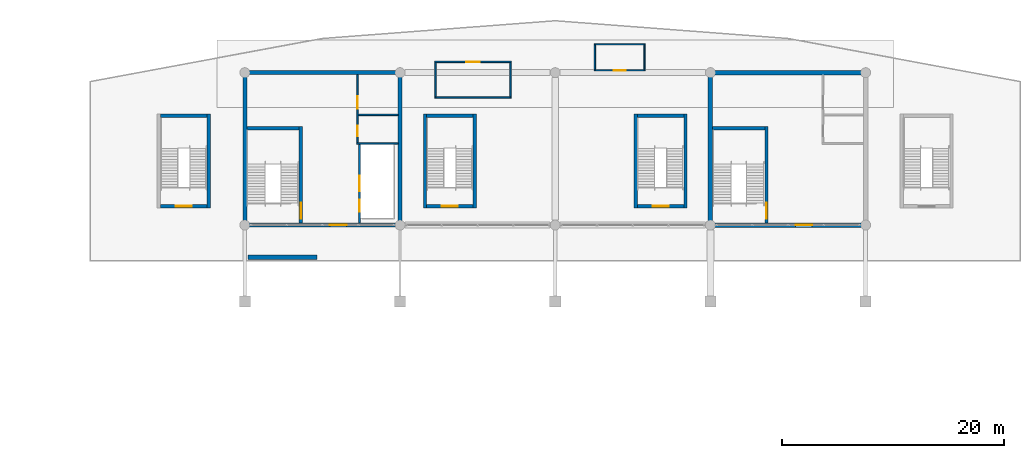
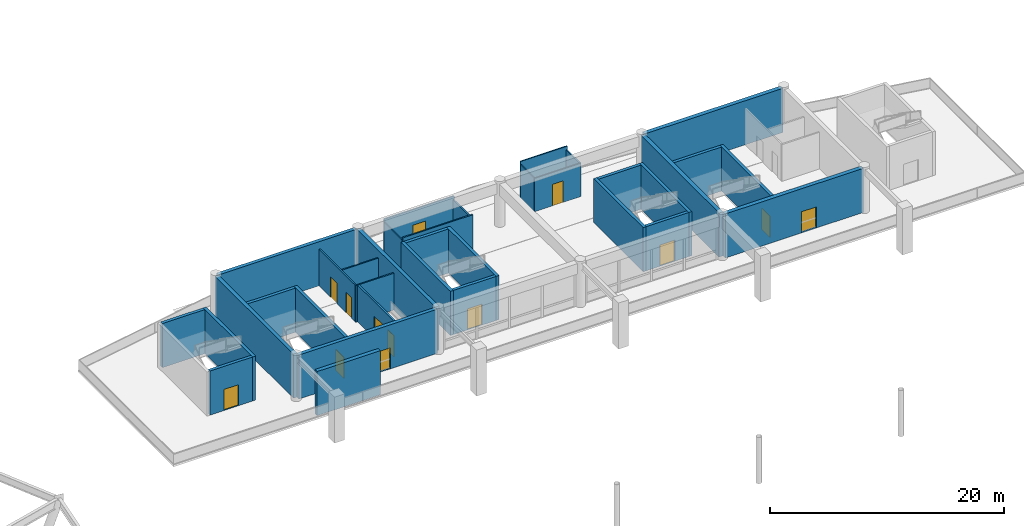
# One storey, part 72 of 91: 35 walls, 13 doors, 13 openings.
"""IFC4 building model written with IfcOpenShell, lengths in metres."""

from ifc_helpers import new_model, si_unit, direction, frame, frame_2d, origin, place, context, subcontext, project, spatial, rectangle, extrude, material, layer, layer_set, type_object, element, fill, save


model = new_model("IFC4")

# Units and contexts
model_context = context("Model", 3, precision=1e-05, world=origin(), true_north=direction((0.0, 1.0)))
body_context = subcontext(model_context, "Body", "Model", "MODEL_VIEW")
ifc_project = project(units=[si_unit("LENGTHUNIT", "METRE"), si_unit("AREAUNIT", "SQUARE_METRE"), si_unit("VOLUMEUNIT", "CUBIC_METRE"), si_unit("PLANEANGLEUNIT", "RADIAN"), si_unit("MASSUNIT", "GRAM", prefix="KILO")], contexts=[model_context])

# Site, building, storey
site_placement = place(None, origin())
site = spatial("IfcSite", under=ifc_project, at=site_placement, CompositionType="ELEMENT")
building_placement = place(site_placement, origin())
building = spatial("IfcBuilding", under=site, at=building_placement, Name="Linyun Crest Stadium", CompositionType="ELEMENT")
storey_placement = place(building_placement, frame((0.0, 0.0, 11.39990234375)))
storey = spatial("IfcBuildingStorey", under=building, at=storey_placement, Name="L03", CompositionType="ELEMENT", Elevation=11.39990234375)

# Walls
ifc_material_1 = material(Name="Concrete C50", Category="concrete")
ifc_layer_1 = layer(ifc_material_1, 0.35009765625)
ifc_layer_set_1 = layer_set([ifc_layer_1], Name="Concrete C50")
wall_type_1 = type_object("IfcWallType", Name="CW01", PredefinedType="SHEAR", material=ifc_layer_set_1)
for number, where, z_axis, x_axis, name in (
    (1, (-28.0, 91.675048828125, 0.0), (0.0, 0.0, 1.0), (0.0, 1.0, 0.0), "Core shear wall CW01 CORE-N1 L03.1"),
    (2, (-14.0, 91.675048828125, 0.0), (0.0, 0.0, 1.0), (0.0, 1.0, 0.0), "Core shear wall CW01 CORE-N1 L03.2"),
):
    element("IfcWall", number, at=place(storey_placement, frame(where, z_axis=z_axis, x_axis=x_axis)), inside=storey, type_object=wall_type_1, Name=name, PredefinedType="SHEAR", context=body_context, shape_type="SweptSolid", body=[
        extrude(rectangle(XDim=13.39990234375, YDim=0.35009765625, at=frame_2d((6.699951171875, 0.0))), origin(), (0.0, 0.0, 1.0), 4.60009765625),
    ])

# Wall, opening, door
wall_1_placement = place(storey_placement, frame((-27.824951171875, 91.5, 0.0), z_axis=(0.0, 0.0, 1.0), x_axis=(1.0, 0.0, 0.0)))
wall_1 = element("IfcWall", 3, at=wall_1_placement, inside=storey, type_object=wall_type_1, Name="Core shear wall CW01 CORE-N1 L03.3", PredefinedType="SHEAR", context=body_context, shape_type="SweptSolid", body=[
    extrude(rectangle(XDim=13.64990234375, YDim=0.35009765625, at=frame_2d((6.824951171875, 0.0))), origin(), (0.0, 0.0, 1.0), 4.60009765625),
])
opening_1_placement = place(wall_1_placement, frame((7.507080078125, 0.0, 0.0)))
opening_1 = element("IfcOpeningElement", 4, at=opening_1_placement, cuts=wall_1, Name="Opening D-L03-274", PredefinedType="OPENING", context=body_context, shape_type="SweptSolid", body=[
    extrude(rectangle(XDim=1.5, YDim=2.199951171875, at=frame_2d((0.75, 1.10009765625))), frame((0.0, 0.18505859375, 0.0), z_axis=(0.0, -1.0, 0.0), x_axis=(1.0, 0.0, 0.0)), (0.0, 0.0, 1.0), 0.3701171875),
])
ifc_material_2 = material(Name="Galvanized steel Class A fire door", Category="steel")
ifc_layer_2 = layer(ifc_material_2, 0.054931640625)
ifc_layer_set_2 = layer_set([ifc_layer_2], Name="Galvanized steel Class A fire door")
door_type_1 = type_object("IfcDoorType", Name="FD01", OperationType="NOTDEFINED", PredefinedType="DOOR", material=ifc_layer_set_2)
door_1_placement = place(opening_1_placement, origin())
door_1 = element("IfcDoor", 5, at=door_1_placement, inside=storey, type_object=door_type_1, Name="Door D-L03-274", OperationType="SINGLE_SWING_RIGHT", OverallHeight=2.199951171875, OverallWidth=1.5, PredefinedType="DOOR", context=body_context, shape_type="SweptSolid", body=[
    extrude(rectangle(XDim=1.5, YDim=2.199951171875, at=frame_2d((0.75, 1.10009765625))), frame((0.0, 0.02490234375, 0.0), z_axis=(0.0, -1.0, 0.0), x_axis=(1.0, 0.0, 0.0)), (0.0, 0.0, 1.0), 0.050048828125),
])
fill(opening_1, door_1)

# Walls
wall_2_placement = place(storey_placement, frame((-27.824951171875, 105.25, 0.0), z_axis=(0.0, 0.0, 1.0), x_axis=(1.0, 0.0, 0.0)))
element("IfcWall", 6, at=wall_2_placement, inside=storey, type_object=wall_type_1, Name="Core shear wall CW01 CORE-N1 L03.4", PredefinedType="SHEAR", context=body_context, shape_type="SweptSolid", body=[
    extrude(rectangle(XDim=13.64990234375, YDim=0.35009765625, at=frame_2d((6.824951171875, 0.0))), origin(), (0.0, 0.0, 1.0), 4.60009765625),
])
ifc_material_3 = material(Name="Concrete C50", Category="concrete")
ifc_layer_3 = layer(ifc_material_3, 0.39990234375)
ifc_layer_set_3 = layer_set([ifc_layer_3], Name="Concrete C50")
wall_type_2 = type_object("IfcWallType", Name="CW02", PredefinedType="SHEAR", material=ifc_layer_set_3)
wall_3_placement = place(storey_placement, frame((14.0, 91.699951171875, 0.0), z_axis=(0.0, 0.0, 1.0), x_axis=(0.0, 1.0, 0.0)))
element("IfcWall", 7, at=wall_3_placement, inside=storey, type_object=wall_type_2, Name="Core shear wall CW02 CORE-N2 L03.1", PredefinedType="SHEAR", context=body_context, shape_type="SweptSolid", body=[
    extrude(rectangle(XDim=13.35009765625, YDim=0.39990234375, at=frame_2d((6.675048828125, 0.0))), origin(), (0.0, 0.0, 1.0), 4.60009765625),
])

# Wall, opening, door
wall_4_placement = place(storey_placement, frame((14.199951171875, 91.5, 0.0), z_axis=(0.0, 0.0, 1.0), x_axis=(1.0, 0.0, 0.0)))
wall_4 = element("IfcWall", 8, at=wall_4_placement, inside=storey, type_object=wall_type_2, Name="Core shear wall CW02 CORE-N2 L03.3", PredefinedType="SHEAR", context=body_context, shape_type="SweptSolid", body=[
    extrude(rectangle(XDim=13.60009765625, YDim=0.39990234375, at=frame_2d((6.800048828125, 0.0))), origin(), (0.0, 0.0, 1.0), 4.60009765625),
])
opening_2_placement = place(wall_4_placement, frame((7.47998046875, 0.0, 0.0)))
opening_2 = element("IfcOpeningElement", 9, at=opening_2_placement, cuts=wall_4, Name="Opening D-L03-304", PredefinedType="OPENING", context=body_context, shape_type="SweptSolid", body=[
    extrude(rectangle(XDim=1.5, YDim=2.199951171875, at=frame_2d((0.75, 1.10009765625))), frame((0.0, 0.2099609375, 0.0), z_axis=(0.0, -1.0, 0.0), x_axis=(1.0, 0.0, 0.0)), (0.0, 0.0, 1.0), 0.419921875),
])
door_2_placement = place(opening_2_placement, origin())
door_2 = element("IfcDoor", 10, at=door_2_placement, inside=storey, type_object=door_type_1, Name="Door D-L03-304", OperationType="SINGLE_SWING_RIGHT", OverallHeight=2.199951171875, OverallWidth=1.5, PredefinedType="DOOR", context=body_context, shape_type="SweptSolid", body=[
    extrude(rectangle(XDim=1.5, YDim=2.199951171875, at=frame_2d((0.75, 1.10009765625))), frame((0.0, 0.02490234375, 0.0), z_axis=(0.0, -1.0, 0.0), x_axis=(1.0, 0.0, 0.0)), (0.0, 0.0, 1.0), 0.050048828125),
])
fill(opening_2, door_2)

# Wall
wall_5_placement = place(storey_placement, frame((14.199951171875, 105.25, 0.0), z_axis=(0.0, 0.0, 1.0), x_axis=(1.0, 0.0, 0.0)))
element("IfcWall", 11, at=wall_5_placement, inside=storey, type_object=wall_type_2, Name="Core shear wall CW02 CORE-N2 L03.4", PredefinedType="SHEAR", context=body_context, shape_type="SweptSolid", body=[
    extrude(rectangle(XDim=13.60009765625, YDim=0.39990234375, at=frame_2d((6.800048828125, 0.0))), origin(), (0.0, 0.0, 1.0), 4.60009765625),
])

# Wall, openings, doors
ifc_material_4 = material(Name="Autoclaved aerated concrete block fire partition", Category="concrete")
ifc_layer_4 = layer(ifc_material_4, 0.179931640625)
ifc_layer_set_4 = layer_set([ifc_layer_4], Name="Autoclaved aerated concrete block fire partition")
wall_type_3 = type_object("IfcWallType", Name="PW12", PredefinedType="PARTITIONING", material=ifc_layer_set_4)
wall_6_placement = place(storey_placement, frame((-17.64990234375, 91.675048828125, 0.0), z_axis=(0.0, 0.0, 1.0), x_axis=(0.0, 1.0, 0.0)))
wall_6 = element("IfcWall", 12, at=wall_6_placement, inside=storey, type_object=wall_type_3, Name="Partition PW12 L03 99", PredefinedType="PARTITIONING", context=body_context, shape_type="SweptSolid", body=[
    extrude(rectangle(XDim=7.10498046875, YDim=0.179931640625, at=frame_2d((3.552490234375, 0.0))), origin(), (0.0, 0.0, 1.0), 3.820068359375),
])
opening_3_placement = place(wall_6_placement, frame((1.02490234375, 0.0, 0.0)))
opening_3 = element("IfcOpeningElement", 13, at=opening_3_placement, cuts=wall_6, Name="Opening LD091", PredefinedType="OPENING", context=body_context, shape_type="SweptSolid", body=[
    extrude(rectangle(XDim=1.10009765625, YDim=2.199951171875, at=frame_2d((0.550048828125, 1.10009765625))), frame((0.0, 0.099853515625, 0.0), z_axis=(0.0, -1.0, 0.0), x_axis=(1.0, 0.0, 0.0)), (0.0, 0.0, 1.0), 0.199951171875),
])
opening_4_placement = place(wall_6_placement, frame((2.875, 0.0, 0.0)))
opening_4 = element("IfcOpeningElement", 14, at=opening_4_placement, cuts=wall_6, Name="Opening LD092", PredefinedType="OPENING", context=body_context, shape_type="SweptSolid", body=[
    extrude(rectangle(XDim=1.39990234375, YDim=2.300048828125, at=frame_2d((0.699951171875, 1.14990234375))), frame((0.0, 0.099853515625, 0.0), z_axis=(0.0, -1.0, 0.0), x_axis=(1.0, 0.0, 0.0)), (0.0, 0.0, 1.0), 0.199951171875),
])
ifc_material_5 = material(Name="Brushed stainless sliding lift door")
ifc_layer_5 = layer(ifc_material_5, 0.050048828125)
ifc_layer_set_5 = layer_set([ifc_layer_5], Name="Brushed stainless sliding lift door")
door_type_2 = type_object("IfcDoorType", Name="LD01", OperationType="NOTDEFINED", PredefinedType="DOOR", material=ifc_layer_set_5)
door_3_placement = place(opening_3_placement, origin())
door_3 = element("IfcDoor", 15, at=door_3_placement, inside=storey, type_object=door_type_2, Name="Lift landing door LD091", OperationType="DOUBLE_DOOR_SLIDING", OverallHeight=2.199951171875, OverallWidth=1.10009765625, PredefinedType="DOOR", context=body_context, shape_type="SweptSolid", body=[
    extrude(rectangle(XDim=1.10009765625, YDim=2.199951171875, at=frame_2d((0.550048828125, 1.10009765625))), frame((0.0, 0.02490234375, 0.0), z_axis=(0.0, -1.0, 0.0), x_axis=(1.0, 0.0, 0.0)), (0.0, 0.0, 1.0), 0.050048828125),
])
fill(opening_3, door_3)
ifc_material_6 = material(Name="Heavy-duty stainless sliding door")
ifc_layer_6 = layer(ifc_material_6, 0.054931640625)
ifc_layer_set_6 = layer_set([ifc_layer_6], Name="Heavy-duty stainless sliding door")
door_type_3 = type_object("IfcDoorType", Name="LD03", OperationType="NOTDEFINED", PredefinedType="DOOR", material=ifc_layer_set_6)
door_4_placement = place(opening_4_placement, origin())
door_4 = element("IfcDoor", 16, at=door_4_placement, inside=storey, type_object=door_type_3, Name="Lift landing door LD092", OperationType="DOUBLE_DOOR_SLIDING", OverallHeight=2.300048828125, OverallWidth=1.39990234375, PredefinedType="DOOR", context=body_context, shape_type="SweptSolid", body=[
    extrude(rectangle(XDim=1.39990234375, YDim=2.300048828125, at=frame_2d((0.699951171875, 1.14990234375))), frame((0.0, 0.02490234375, 0.0), z_axis=(0.0, -1.0, 0.0), x_axis=(1.0, 0.0, 0.0)), (0.0, 0.0, 1.0), 0.050048828125),
])
fill(opening_4, door_4)

ifc_material_7 = material(Name="Moisture-resistant ceramic-tiled wet-room wall")
ifc_layer_7 = layer(ifc_material_7, 0.139892578125)
ifc_layer_set_7 = layer_set([ifc_layer_7], Name="Moisture-resistant ceramic-tiled wet-room wall")
wall_type_4 = type_object("IfcWallType", Name="PW15", PredefinedType="PARTITIONING", material=ifc_layer_set_7)
wall_7_placement = place(storey_placement, frame((-17.85009765625, 98.919921875, 0.0), z_axis=(0.0, 0.0, 1.0), x_axis=(0.0, 1.0, 0.0)))
wall_7 = element("IfcWall", 17, at=wall_7_placement, inside=storey, type_object=wall_type_4, Name="Partition PW15 L03 100", PredefinedType="PARTITIONING", context=body_context, shape_type="SweptSolid", body=[
    extrude(rectangle(XDim=6.155029296875, YDim=0.139892578125, at=frame_2d((3.07763671875, 0.0))), origin(), (0.0, 0.0, 1.0), 3.820068359375),
])
opening_5_placement = place(wall_7_placement, frame((0.580078125, 0.0, 0.0)))
opening_5 = element("IfcOpeningElement", 18, at=opening_5_placement, cuts=wall_7, Name="Opening D-L03-278", PredefinedType="OPENING", context=body_context, shape_type="SweptSolid", body=[
    extrude(rectangle(XDim=0.949951171875, YDim=2.14990234375, at=frame_2d((0.47509765625, 1.074951171875))), frame((0.0, 0.079833984375, 0.0), z_axis=(0.0, -1.0, 0.0), x_axis=(1.0, 0.0, 0.0)), (0.0, 0.0, 1.0), 0.159912109375),
])
opening_6_placement = place(wall_7_placement, frame((3.080078125, 0.0, 0.0)))
opening_6 = element("IfcOpeningElement", 19, at=opening_6_placement, cuts=wall_7, Name="Opening D-L03-279", PredefinedType="OPENING", context=body_context, shape_type="SweptSolid", body=[
    extrude(rectangle(XDim=1.10009765625, YDim=2.14990234375, at=frame_2d((0.550048828125, 1.074951171875))), frame((0.0, 0.079833984375, 0.0), z_axis=(0.0, -1.0, 0.0), x_axis=(1.0, 0.0, 0.0)), (0.0, 0.0, 1.0), 0.159912109375),
])
ifc_material_8 = material(Name="Moisture-resistant laminate leaf")
ifc_layer_8 = layer(ifc_material_8, 0.044921875)
ifc_layer_set_8 = layer_set([ifc_layer_8], Name="Moisture-resistant laminate leaf")
door_type_4 = type_object("IfcDoorType", Name="ID02", OperationType="NOTDEFINED", PredefinedType="DOOR", material=ifc_layer_set_8)
door_5_placement = place(opening_5_placement, origin())
door_5 = element("IfcDoor", 20, at=door_5_placement, inside=storey, type_object=door_type_4, Name="Door D-L03-278", OperationType="SINGLE_SWING_RIGHT", OverallHeight=2.14990234375, OverallWidth=0.949951171875, PredefinedType="DOOR", context=body_context, shape_type="SweptSolid", body=[
    extrude(rectangle(XDim=0.949951171875, YDim=2.14990234375, at=frame_2d((0.47509765625, 1.074951171875))), frame((0.0, 0.02490234375, 0.0), z_axis=(0.0, -1.0, 0.0), x_axis=(1.0, 0.0, 0.0)), (0.0, 0.0, 1.0), 0.050048828125),
])
fill(opening_5, door_5)
ifc_material_9 = material(Name="Moisture-resistant laminate leaf")
ifc_layer_9 = layer(ifc_material_9, 0.044921875)
ifc_layer_set_9 = layer_set([ifc_layer_9], Name="Moisture-resistant laminate leaf")
door_type_5 = type_object("IfcDoorType", Name="ID03", OperationType="NOTDEFINED", PredefinedType="DOOR", material=ifc_layer_set_9)
door_6_placement = place(opening_6_placement, origin())
door_6 = element("IfcDoor", 21, at=door_6_placement, inside=storey, type_object=door_type_5, Name="Door D-L03-279", OperationType="SINGLE_SWING_LEFT", OverallHeight=2.14990234375, OverallWidth=1.10009765625, PredefinedType="DOOR", context=body_context, shape_type="SweptSolid", body=[
    extrude(rectangle(XDim=1.10009765625, YDim=2.14990234375, at=frame_2d((0.550048828125, 1.074951171875))), frame((0.0, 0.02490234375, 0.0), z_axis=(0.0, -1.0, 0.0), x_axis=(1.0, 0.0, 0.0)), (0.0, 0.0, 1.0), 0.050048828125),
])
fill(opening_6, door_6)

# Walls
wall_8_placement = place(storey_placement, frame((-17.919921875, 98.85009765625, 0.0), z_axis=(0.0, 0.0, 1.0), x_axis=(1.0, 0.0, 0.0)))
element("IfcWall", 22, at=wall_8_placement, inside=storey, type_object=wall_type_4, Name="Enclosure partition PW15 L03 85", PredefinedType="PARTITIONING", context=body_context, shape_type="SweptSolid", body=[
    extrude(rectangle(XDim=3.744873046875, YDim=0.139892578125, at=frame_2d((1.87255859375, 0.0))), origin(), (0.0, 0.0, 1.0), 3.820068359375),
])
wall_9_placement = place(storey_placement, frame((-17.780029296875, 101.449951171875, 0.0), z_axis=(0.0, 0.0, 1.0), x_axis=(1.0, 0.0, 0.0)))
element("IfcWall", 23, at=wall_9_placement, inside=storey, type_object=wall_type_4, Name="Enclosure partition PW15 L03 86", PredefinedType="PARTITIONING", context=body_context, shape_type="SweptSolid", body=[
    extrude(rectangle(XDim=3.60498046875, YDim=0.139892578125, at=frame_2d((1.802490234375, 0.0))), origin(), (0.0, 0.0, 1.0), 3.820068359375),
])

# Wall, opening, door
ifc_material_10 = material(Name="Impact-resistant community sports hall lining")
ifc_layer_10 = layer(ifc_material_10, 0.135009765625)
ifc_layer_set_10 = layer_set([ifc_layer_10], Name="Impact-resistant community sports hall lining")
wall_type_5 = type_object("IfcWallType", Name="PW19", PredefinedType="PARTITIONING", material=ifc_layer_set_10)
wall_10_placement = place(storey_placement, frame((-10.875, 106.217041015625, 0.0), z_axis=(0.0, 0.0, 1.0), x_axis=(1.0, 0.0, 0.0)))
wall_10 = element("IfcWall", 24, at=wall_10_placement, inside=storey, type_object=wall_type_5, Name="Partition PW19 L03 210", PredefinedType="PARTITIONING", context=body_context, shape_type="SweptSolid", body=[
    extrude(rectangle(XDim=6.919921875, YDim=0.135009765625, at=frame_2d((3.4599609375, 0.0))), origin(), (0.0, 0.0, 1.0), 3.820068359375),
])
opening_7_placement = place(wall_10_placement, frame((2.8349609375, 0.0, 0.0)))
opening_7 = element("IfcOpeningElement", 25, at=opening_7_placement, cuts=wall_10, Name="Opening D-L03-473", PredefinedType="OPENING", context=body_context, shape_type="SweptSolid", body=[
    extrude(rectangle(XDim=1.25, YDim=2.199951171875, at=frame_2d((0.625, 1.10009765625))), frame((0.0, 0.077392578125, 0.0), z_axis=(0.0, -1.0, 0.0), x_axis=(1.0, 0.0, 0.0)), (0.0, 0.0, 1.0), 0.155029296875),
])
ifc_material_11 = material(Name="Solid-core timber acoustic door", Category="wood")
ifc_layer_11 = layer(ifc_material_11, 0.050048828125)
ifc_layer_set_11 = layer_set([ifc_layer_11], Name="Solid-core timber acoustic door")
door_type_6 = type_object("IfcDoorType", Name="ID04", OperationType="NOTDEFINED", PredefinedType="DOOR", material=ifc_layer_set_11)
door_7_placement = place(opening_7_placement, origin())
door_7 = element("IfcDoor", 26, at=door_7_placement, inside=storey, type_object=door_type_6, Name="Door D-L03-473", OperationType="SINGLE_SWING_LEFT", OverallHeight=2.199951171875, OverallWidth=1.25, PredefinedType="DOOR", context=body_context, shape_type="SweptSolid", body=[
    extrude(rectangle(XDim=1.25, YDim=2.199951171875, at=frame_2d((0.625, 1.10009765625))), frame((0.0, 0.02490234375, 0.0), z_axis=(0.0, -1.0, 0.0), x_axis=(1.0, 0.0, 0.0)), (0.0, 0.0, 1.0), 0.050048828125),
])
fill(opening_7, door_7)

# Walls
wall_11_placement = place(storey_placement, frame((-10.875, 103.01708984375, 0.0), z_axis=(0.0, 0.0, 1.0), x_axis=(1.0, 0.0, 0.0)))
element("IfcWall", 27, at=wall_11_placement, inside=storey, type_object=wall_type_5, Name="Enclosure partition PW19 L03 346", PredefinedType="PARTITIONING", context=body_context, shape_type="SweptSolid", body=[
    extrude(rectangle(XDim=6.919921875, YDim=0.135009765625, at=frame_2d((3.4599609375, 0.0))), origin(), (0.0, 0.0, 1.0), 3.820068359375),
])
for number, where, z_axis, x_axis, name in (
    (28, (-10.806884765625, 103.0849609375, 0.0), (0.0, 0.0, 1.0), (0.0, 1.0, 0.0), "Enclosure partition PW19 L03 347"),
    (29, (-4.02294921875, 103.0849609375, 0.0), (0.0, 0.0, 1.0), (0.0, 1.0, 0.0), "Enclosure partition PW19 L03 348"),
):
    element("IfcWall", number, at=place(storey_placement, frame(where, z_axis=z_axis, x_axis=x_axis)), inside=storey, type_object=wall_type_5, Name=name, PredefinedType="PARTITIONING", context=body_context, shape_type="SweptSolid", body=[
        extrude(rectangle(XDim=3.06396484375, YDim=0.135009765625, at=frame_2d((1.531982421875, 0.0))), origin(), (0.0, 0.0, 1.0), 3.47509765625),
    ])

# Wall, opening, door
ifc_material_12 = material(Name="Glazed hospitality salon screen partition")
ifc_layer_12 = layer(ifc_material_12, 0.114990234375)
ifc_layer_set_12 = layer_set([ifc_layer_12], Name="Glazed hospitality salon screen partition")
wall_type_6 = type_object("IfcWallType", Name="PW21", PredefinedType="PARTITIONING", material=ifc_layer_set_12)
wall_12_placement = place(storey_placement, frame((8.117919921875, 105.458984375, 0.0), z_axis=(0.0, 0.0, 1.0), x_axis=(-1.0, 0.0, 0.0)))
wall_12 = element("IfcWall", 30, at=wall_12_placement, inside=storey, type_object=wall_type_6, Name="Partition PW21 L03 211", PredefinedType="PARTITIONING", context=body_context, shape_type="SweptSolid", body=[
    extrude(rectangle(XDim=4.599853515625, YDim=0.114990234375, at=frame_2d((2.2998046875, 0.0))), origin(), (0.0, 0.0, 1.0), 3.47509765625),
])
opening_8_placement = place(wall_12_placement, frame((1.77490234375, 0.0, 0.0)))
opening_8 = element("IfcOpeningElement", 31, at=opening_8_placement, cuts=wall_12, Name="Opening D-L03-474", PredefinedType="OPENING", context=body_context, shape_type="SweptSolid", body=[
    extrude(rectangle(XDim=1.050048828125, YDim=2.25, at=frame_2d((0.52490234375, 1.125))), frame((0.0, 0.0673828125, 0.0), z_axis=(0.0, -1.0, 0.0), x_axis=(1.0, 0.0, 0.0)), (0.0, 0.0, 1.0), 0.135009765625),
])
ifc_material_13 = material(Name="Walnut and brass Art Nouveau door")
ifc_layer_13 = layer(ifc_material_13, 0.050048828125)
ifc_layer_set_13 = layer_set([ifc_layer_13], Name="Walnut and brass Art Nouveau door")
door_type_7 = type_object("IfcDoorType", Name="ID05", OperationType="NOTDEFINED", PredefinedType="DOOR", material=ifc_layer_set_13)
door_8_placement = place(opening_8_placement, origin())
door_8 = element("IfcDoor", 32, at=door_8_placement, inside=storey, type_object=door_type_7, Name="Door D-L03-474", OperationType="SINGLE_SWING_RIGHT", OverallHeight=2.25, OverallWidth=1.050048828125, PredefinedType="DOOR", context=body_context, shape_type="SweptSolid", body=[
    extrude(rectangle(XDim=1.050048828125, YDim=2.25, at=frame_2d((0.52490234375, 1.125))), frame((0.0, 0.02490234375, 0.0), z_axis=(0.0, -1.0, 0.0), x_axis=(1.0, 0.0, 0.0)), (0.0, 0.0, 1.0), 0.050048828125),
])
fill(opening_8, door_8)

# Walls
wall_13_placement = place(storey_placement, frame((3.51806640625, 107.819091796875, 0.0), z_axis=(0.0, 0.0, 1.0), x_axis=(1.0, 0.0, 0.0)))
element("IfcWall", 33, at=wall_13_placement, inside=storey, type_object=wall_type_6, Name="Enclosure partition PW21 L03 349", PredefinedType="PARTITIONING", context=body_context, shape_type="SweptSolid", body=[
    extrude(rectangle(XDim=4.599853515625, YDim=0.114990234375, at=frame_2d((2.2998046875, 0.0))), origin(), (0.0, 0.0, 1.0), 3.820068359375),
])
for number, where, z_axis, x_axis, name in (
    (34, (3.575927734375, 105.51708984375, 0.0), (0.0, 0.0, 1.0), (0.0, 1.0, 0.0), "Enclosure partition PW21 L03 350"),
    (35, (8.06005859375, 105.51708984375, 0.0), (0.0, 0.0, 1.0), (0.0, 1.0, 0.0), "Enclosure partition PW21 L03 351"),
):
    element("IfcWall", number, at=place(storey_placement, frame(where, z_axis=z_axis, x_axis=x_axis)), inside=storey, type_object=wall_type_6, Name=name, PredefinedType="PARTITIONING", context=body_context, shape_type="SweptSolid", body=[
        extrude(rectangle(XDim=2.243896484375, YDim=0.114990234375, at=frame_2d((1.1220703125, 0.0))), origin(), (0.0, 0.0, 1.0), 3.47509765625),
    ])

# Wall, opening, door
ifc_material_14 = material(Name="Concrete C50", Category="concrete")
ifc_layer_14 = layer(ifc_material_14, 0.300048828125)
ifc_layer_set_14 = layer_set([ifc_layer_14], Name="Concrete C50")
wall_type_7 = type_object("IfcWallType", Name="SW01", PredefinedType="SHEAR", material=ifc_layer_set_14)
wall_14_placement = place(storey_placement, frame((-22.949951171875, 91.675048828125, 0.0), z_axis=(0.0, 0.0, 1.0), x_axis=(0.0, 1.0, 0.0)))
wall_14 = element("IfcWall", 36, at=wall_14_placement, inside=storey, type_object=wall_type_7, Name="Core stair east bearing wall SW01 7 L03", PredefinedType="SHEAR", context=body_context, shape_type="SweptSolid", body=[
    extrude(rectangle(XDim=8.724853515625, YDim=0.300048828125, at=frame_2d((4.3623046875, 0.0))), origin(), (0.0, 0.0, 1.0), 4.60009765625),
])
opening_9_placement = place(wall_14_placement, frame((0.39501953125, 0.0, 0.0)))
opening_9 = element("IfcOpeningElement", 37, at=opening_9_placement, cuts=wall_14, Name="Opening D-L03-275", PredefinedType="OPENING", context=body_context, shape_type="SweptSolid", body=[
    extrude(rectangle(XDim=1.449951171875, YDim=2.199951171875, at=frame_2d((0.72509765625, 1.10009765625))), frame((0.0, 0.159912109375, 0.0), z_axis=(0.0, -1.0, 0.0), x_axis=(1.0, 0.0, 0.0)), (0.0, 0.0, 1.0), 0.320068359375),
])
ifc_material_15 = material(Name="Galvanized steel Class A fire door", Category="steel")
ifc_layer_15 = layer(ifc_material_15, 0.054931640625)
ifc_layer_set_15 = layer_set([ifc_layer_15], Name="Galvanized steel Class A fire door")
door_type_8 = type_object("IfcDoorType", Name="FD02", OperationType="NOTDEFINED", PredefinedType="DOOR", material=ifc_layer_set_15)
door_9_placement = place(opening_9_placement, origin())
door_9 = element("IfcDoor", 38, at=door_9_placement, inside=storey, type_object=door_type_8, Name="Door D-L03-275", OperationType="SINGLE_SWING_LEFT", OverallHeight=2.199951171875, OverallWidth=1.449951171875, PredefinedType="DOOR", context=body_context, shape_type="SweptSolid", body=[
    extrude(rectangle(XDim=1.449951171875, YDim=2.199951171875, at=frame_2d((0.72509765625, 1.10009765625))), frame((0.0, 0.02490234375, 0.0), z_axis=(0.0, -1.0, 0.0), x_axis=(1.0, 0.0, 0.0)), (0.0, 0.0, 1.0), 0.050048828125),
])
fill(opening_9, door_9)

wall_15_placement = place(storey_placement, frame((19.050048828125, 91.699951171875, 0.0), z_axis=(0.0, 0.0, 1.0), x_axis=(0.0, 1.0, 0.0)))
wall_15 = element("IfcWall", 39, at=wall_15_placement, inside=storey, type_object=wall_type_7, Name="Core stair east bearing wall SW01 8 L03", PredefinedType="SHEAR", context=body_context, shape_type="SweptSolid", body=[
    extrude(rectangle(XDim=8.699951171875, YDim=0.300048828125, at=frame_2d((4.35009765625, 0.0))), origin(), (0.0, 0.0, 1.0), 4.60009765625),
])
opening_10_placement = place(wall_15_placement, frame((0.3701171875, 0.0, 0.0)))
opening_10 = element("IfcOpeningElement", 40, at=opening_10_placement, cuts=wall_15, Name="Opening D-L03-305", PredefinedType="OPENING", context=body_context, shape_type="SweptSolid", body=[
    extrude(rectangle(XDim=1.449951171875, YDim=2.199951171875, at=frame_2d((0.72509765625, 1.10009765625))), frame((0.0, 0.159912109375, 0.0), z_axis=(0.0, -1.0, 0.0), x_axis=(1.0, 0.0, 0.0)), (0.0, 0.0, 1.0), 0.320068359375),
])
door_10_placement = place(opening_10_placement, origin())
door_10 = element("IfcDoor", 41, at=door_10_placement, inside=storey, type_object=door_type_8, Name="Door D-L03-305", OperationType="SINGLE_SWING_LEFT", OverallHeight=2.199951171875, OverallWidth=1.449951171875, PredefinedType="DOOR", context=body_context, shape_type="SweptSolid", body=[
    extrude(rectangle(XDim=1.449951171875, YDim=2.199951171875, at=frame_2d((0.72509765625, 1.10009765625))), frame((0.0, 0.02490234375, 0.0), z_axis=(0.0, -1.0, 0.0), x_axis=(1.0, 0.0, 0.0)), (0.0, 0.0, 1.0), 0.050048828125),
])
fill(opening_10, door_10)

# Walls
wall_16_placement = place(storey_placement, frame((-27.824951171875, 100.25, 0.0), z_axis=(0.0, 0.0, 1.0), x_axis=(1.0, 0.0, 0.0)))
element("IfcWall", 42, at=wall_16_placement, inside=storey, type_object=wall_type_7, Name="Core stair bearing wall SW01 7 L03", PredefinedType="SHEAR", context=body_context, shape_type="SweptSolid", body=[
    extrude(rectangle(XDim=4.724853515625, YDim=0.300048828125, at=frame_2d((2.3623046875, 0.0))), origin(), (0.0, 0.0, 1.0), 4.60009765625),
])
wall_17_placement = place(storey_placement, frame((14.199951171875, 100.25, 0.0), z_axis=(0.0, 0.0, 1.0), x_axis=(1.0, 0.0, 0.0)))
element("IfcWall", 43, at=wall_17_placement, inside=storey, type_object=wall_type_7, Name="Core stair bearing wall SW01 8 L03", PredefinedType="SHEAR", context=body_context, shape_type="SweptSolid", body=[
    extrude(rectangle(XDim=4.699951171875, YDim=0.300048828125, at=frame_2d((2.35009765625, 0.0))), origin(), (0.0, 0.0, 1.0), 4.60009765625),
])

# Wall, opening, door
wall_18_placement = place(storey_placement, frame((-35.60009765625, 93.199951171875, 0.0), z_axis=(0.0, 0.0, 1.0), x_axis=(1.0, 0.0, 0.0)))
wall_18 = element("IfcWall", 44, at=wall_18_placement, inside=storey, type_object=wall_type_7, Name="Stair shaft wall SW01 STR-23 L03 S", PredefinedType="SHEAR", context=body_context, shape_type="SweptSolid", body=[
    extrude(rectangle(XDim=4.2001953125, YDim=0.300048828125, at=frame_2d((2.10009765625, 0.0))), origin(), (0.0, 0.0, 1.0), 4.60009765625),
])
opening_11_placement = place(wall_18_placement, frame((1.375, 0.0, 0.0)))
opening_11 = element("IfcOpeningElement", 45, at=opening_11_placement, cuts=wall_18, Name="Opening D-L03-597", PredefinedType="OPENING", context=body_context, shape_type="SweptSolid", body=[
    extrude(rectangle(XDim=1.449951171875, YDim=2.199951171875, at=frame_2d((0.72509765625, 1.10009765625))), frame((0.0, 0.159912109375, 0.0), z_axis=(0.0, -1.0, 0.0), x_axis=(1.0, 0.0, 0.0)), (0.0, 0.0, 1.0), 0.320068359375),
])
door_11_placement = place(opening_11_placement, origin())
door_11 = element("IfcDoor", 46, at=door_11_placement, inside=storey, type_object=door_type_8, Name="Door D-L03-597", OperationType="SINGLE_SWING_LEFT", OverallHeight=2.199951171875, OverallWidth=1.449951171875, PredefinedType="DOOR", context=body_context, shape_type="SweptSolid", body=[
    extrude(rectangle(XDim=1.449951171875, YDim=2.199951171875, at=frame_2d((0.72509765625, 1.10009765625))), frame((0.0, 0.02490234375, 0.0), z_axis=(0.0, -1.0, 0.0), x_axis=(1.0, 0.0, 0.0)), (0.0, 0.0, 1.0), 0.050048828125),
])
fill(opening_11, door_11)

# Walls
wall_19_placement = place(storey_placement, frame((-35.60009765625, 101.35009765625, 0.0), z_axis=(0.0, 0.0, 1.0), x_axis=(1.0, 0.0, 0.0)))
element("IfcWall", 47, at=wall_19_placement, inside=storey, type_object=wall_type_7, Name="Stair shaft wall SW01 STR-23 L03 N", PredefinedType="SHEAR", context=body_context, shape_type="SweptSolid", body=[
    extrude(rectangle(XDim=4.2001953125, YDim=0.300048828125, at=frame_2d((2.10009765625, 0.0))), origin(), (0.0, 0.0, 1.0), 4.60009765625),
])
wall_20_placement = place(storey_placement, frame((-31.25, 93.050048828125, 0.0), z_axis=(0.0, 0.0, 1.0), x_axis=(0.0, 1.0, 0.0)))
element("IfcWall", 48, at=wall_20_placement, inside=storey, type_object=wall_type_7, Name="Stair shaft wall SW01 STR-23 L03 E", PredefinedType="SHEAR", context=body_context, shape_type="SweptSolid", body=[
    extrude(rectangle(XDim=8.449951171875, YDim=0.300048828125, at=frame_2d((4.22509765625, 0.0))), origin(), (0.0, 0.0, 1.0), 4.60009765625),
])

# Wall, opening, door
wall_21_placement = place(storey_placement, frame((-11.60009765625, 93.199951171875, 0.0), z_axis=(0.0, 0.0, 1.0), x_axis=(1.0, 0.0, 0.0)))
wall_21 = element("IfcWall", 49, at=wall_21_placement, inside=storey, type_object=wall_type_7, Name="Stair shaft wall SW01 STR-24 L03 S", PredefinedType="SHEAR", context=body_context, shape_type="SweptSolid", body=[
    extrude(rectangle(XDim=4.2001953125, YDim=0.300048828125, at=frame_2d((2.10009765625, 0.0))), origin(), (0.0, 0.0, 1.0), 4.60009765625),
])
opening_12_placement = place(wall_21_placement, frame((1.375, 0.0, 0.0)))
opening_12 = element("IfcOpeningElement", 50, at=opening_12_placement, cuts=wall_21, Name="Opening D-L03-602", PredefinedType="OPENING", context=body_context, shape_type="SweptSolid", body=[
    extrude(rectangle(XDim=1.449951171875, YDim=2.199951171875, at=frame_2d((0.72509765625, 1.10009765625))), frame((0.0, 0.159912109375, 0.0), z_axis=(0.0, -1.0, 0.0), x_axis=(1.0, 0.0, 0.0)), (0.0, 0.0, 1.0), 0.320068359375),
])
door_12_placement = place(opening_12_placement, origin())
door_12 = element("IfcDoor", 51, at=door_12_placement, inside=storey, type_object=door_type_8, Name="Door D-L03-602", OperationType="SINGLE_SWING_RIGHT", OverallHeight=2.199951171875, OverallWidth=1.449951171875, PredefinedType="DOOR", context=body_context, shape_type="SweptSolid", body=[
    extrude(rectangle(XDim=1.449951171875, YDim=2.199951171875, at=frame_2d((0.72509765625, 1.10009765625))), frame((0.0, 0.02490234375, 0.0), z_axis=(0.0, -1.0, 0.0), x_axis=(1.0, 0.0, 0.0)), (0.0, 0.0, 1.0), 0.050048828125),
])
fill(opening_12, door_12)

# Walls
wall_22_placement = place(storey_placement, frame((-11.60009765625, 101.35009765625, 0.0), z_axis=(0.0, 0.0, 1.0), x_axis=(1.0, 0.0, 0.0)))
element("IfcWall", 52, at=wall_22_placement, inside=storey, type_object=wall_type_7, Name="Stair shaft wall SW01 STR-24 L03 N", PredefinedType="SHEAR", context=body_context, shape_type="SweptSolid", body=[
    extrude(rectangle(XDim=4.2001953125, YDim=0.300048828125, at=frame_2d((2.10009765625, 0.0))), origin(), (0.0, 0.0, 1.0), 4.60009765625),
])
for number, where, z_axis, x_axis, name in (
    (53, (-11.75, 93.050048828125, 0.0), (0.0, 0.0, 1.0), (0.0, 1.0, 0.0), "Stair shaft wall SW01 STR-24 L03 W"),
    (54, (-7.25, 93.050048828125, 0.0), (0.0, 0.0, 1.0), (0.0, 1.0, 0.0), "Stair shaft wall SW01 STR-24 L03 E"),
):
    element("IfcWall", number, at=place(storey_placement, frame(where, z_axis=z_axis, x_axis=x_axis)), inside=storey, type_object=wall_type_7, Name=name, PredefinedType="SHEAR", context=body_context, shape_type="SweptSolid", body=[
        extrude(rectangle(XDim=8.449951171875, YDim=0.300048828125, at=frame_2d((4.22509765625, 0.0))), origin(), (0.0, 0.0, 1.0), 4.60009765625),
    ])

# Wall, opening, door
wall_23_placement = place(storey_placement, frame((7.39990234375, 93.199951171875, 0.0), z_axis=(0.0, 0.0, 1.0), x_axis=(1.0, 0.0, 0.0)))
wall_23 = element("IfcWall", 55, at=wall_23_placement, inside=storey, type_object=wall_type_7, Name="Stair shaft wall SW01 STR-25 L03 S", PredefinedType="SHEAR", context=body_context, shape_type="SweptSolid", body=[
    extrude(rectangle(XDim=4.2001953125, YDim=0.300048828125, at=frame_2d((2.10009765625, 0.0))), origin(), (0.0, 0.0, 1.0), 4.60009765625),
])
opening_13_placement = place(wall_23_placement, frame((1.375, 0.0, 0.0)))
opening_13 = element("IfcOpeningElement", 56, at=opening_13_placement, cuts=wall_23, Name="Opening D-L03-607", PredefinedType="OPENING", context=body_context, shape_type="SweptSolid", body=[
    extrude(rectangle(XDim=1.449951171875, YDim=2.199951171875, at=frame_2d((0.72509765625, 1.10009765625))), frame((0.0, 0.159912109375, 0.0), z_axis=(0.0, -1.0, 0.0), x_axis=(1.0, 0.0, 0.0)), (0.0, 0.0, 1.0), 0.320068359375),
])
door_13_placement = place(opening_13_placement, origin())
door_13 = element("IfcDoor", 57, at=door_13_placement, inside=storey, type_object=door_type_8, Name="Door D-L03-607", OperationType="SINGLE_SWING_LEFT", OverallHeight=2.199951171875, OverallWidth=1.449951171875, PredefinedType="DOOR", context=body_context, shape_type="SweptSolid", body=[
    extrude(rectangle(XDim=1.449951171875, YDim=2.199951171875, at=frame_2d((0.72509765625, 1.10009765625))), frame((0.0, 0.02490234375, 0.0), z_axis=(0.0, -1.0, 0.0), x_axis=(1.0, 0.0, 0.0)), (0.0, 0.0, 1.0), 0.050048828125),
])
fill(opening_13, door_13)

# Walls
wall_24_placement = place(storey_placement, frame((7.39990234375, 101.35009765625, 0.0), z_axis=(0.0, 0.0, 1.0), x_axis=(1.0, 0.0, 0.0)))
element("IfcWall", 58, at=wall_24_placement, inside=storey, type_object=wall_type_7, Name="Stair shaft wall SW01 STR-25 L03 N", PredefinedType="SHEAR", context=body_context, shape_type="SweptSolid", body=[
    extrude(rectangle(XDim=4.2001953125, YDim=0.300048828125, at=frame_2d((2.10009765625, 0.0))), origin(), (0.0, 0.0, 1.0), 4.60009765625),
])
for number, where, z_axis, x_axis, name in (
    (59, (7.25, 93.050048828125, 0.0), (0.0, 0.0, 1.0), (0.0, 1.0, 0.0), "Stair shaft wall SW01 STR-25 L03 W"),
    (60, (11.75, 93.050048828125, 0.0), (0.0, 0.0, 1.0), (0.0, 1.0, 0.0), "Stair shaft wall SW01 STR-25 L03 E"),
):
    element("IfcWall", number, at=place(storey_placement, frame(where, z_axis=z_axis, x_axis=x_axis)), inside=storey, type_object=wall_type_7, Name=name, PredefinedType="SHEAR", context=body_context, shape_type="SweptSolid", body=[
        extrude(rectangle(XDim=8.449951171875, YDim=0.300048828125, at=frame_2d((4.22509765625, 0.0))), origin(), (0.0, 0.0, 1.0), 4.60009765625),
    ])
ifc_material_16 = material(Name="Concrete C50", Category="concrete")
ifc_layer_16 = layer(ifc_material_16, 0.3798828125)
ifc_layer_set_16 = layer_set([ifc_layer_16], Name="Concrete C50")
wall_type_8 = type_object("IfcWallType", Name="SW02", PredefinedType="SHEAR", material=ifc_layer_set_16)
wall_25_placement = place(storey_placement, frame((-27.719970703125, 88.60009765625, 0.0), z_axis=(0.0, 0.0, 1.0), x_axis=(1.0, 0.0, 0.0)))
element("IfcWall", 61, at=wall_25_placement, inside=storey, type_object=wall_type_8, Name="Shear wall SW02 L03 320", PredefinedType="SHEAR", context=body_context, shape_type="SweptSolid", body=[
    extrude(rectangle(XDim=6.219970703125, YDim=0.3798828125, at=frame_2d((3.10986328125, 0.0))), origin(), (0.0, 0.0, 1.0), 4.60009765625),
])

save(model, "model.ifc")
